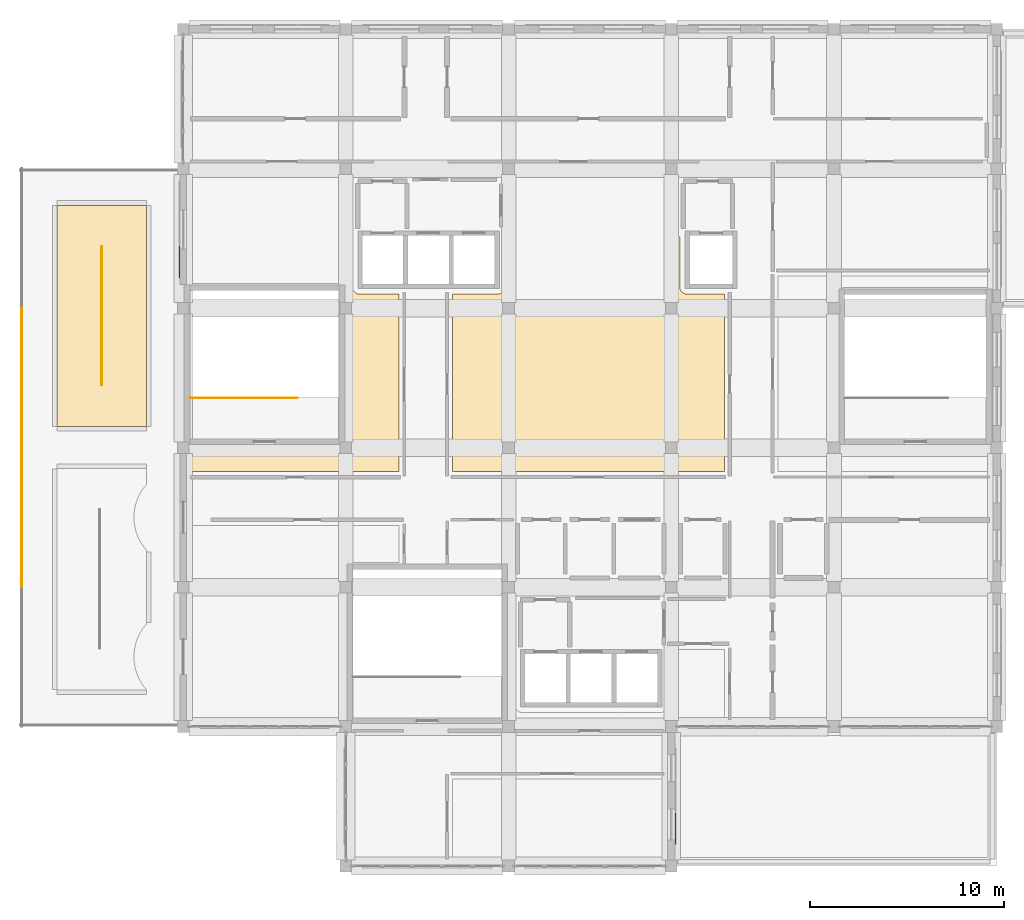
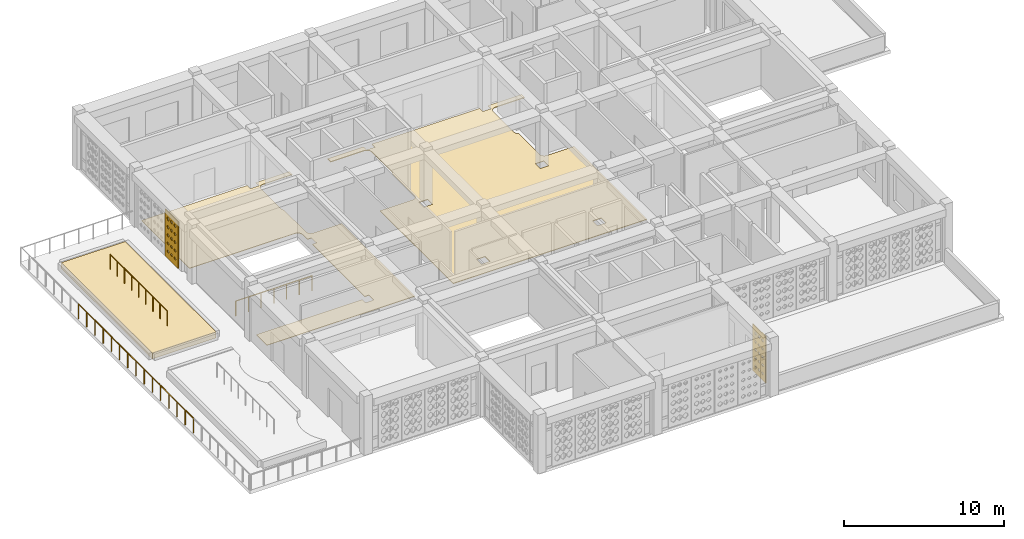
# One storey, part 20 of 28: 5 coverings, 4 railings.
"""IFC4 building model written with IfcOpenShell, lengths in metres."""

import ifcopenshell
import ifcopenshell.guid

model = None  # the IFC model being written
_history = None  # IfcOwnerHistory: only IFC2X3 demands one
_inside = {}  # id of a spatial element -> (the spatial element, [elements in it])
_under = {}  # id of a project, library or spatial element -> (it, [spatial elements below it])
_declared = {}  # id of a project -> (the project, [libraries it declares])
_typed = {}  # id of a type object -> (the type object, [elements of that type])
_made_of = {}  # id of a material, layer set ... -> (it, [elements and type objects made of it])


def new_model(schema):
    """Start an empty IFC model of exactly this schema.

    Asked for "IFC4X3", IfcOpenShell would pick the latest addendum, in which some entities
    have other attributes; the version numbers below select the first issue.
    IFC2X3 requires an IfcOwnerHistory on every rooted entity: one is made here for all.
    """
    global model, _history
    if schema == "IFC4X3":
        model = ifcopenshell.file(schema_version=(4, 3, 0, 0))
    else:
        model = ifcopenshell.file(schema=schema)
    _inside.clear()
    _under.clear()
    _declared.clear()
    _typed.clear()
    _made_of.clear()
    _history = None
    if model.schema == "IFC2X3":
        org = make("IfcOrganization", Name="unknown")
        user = make(
            "IfcPersonAndOrganization",
            ThePerson=make("IfcPerson", FamilyName="unknown"),
            TheOrganization=org,
        )
        app = make(
            "IfcApplication",
            ApplicationDeveloper=org,
            Version="unknown",
            ApplicationFullName="unknown",
            ApplicationIdentifier="unknown",
        )
        _history = make(
            "IfcOwnerHistory",
            OwningUser=user,
            OwningApplication=app,
            ChangeAction="ADDED",
            CreationDate=0,
        )
    return model


def make(cls, **values):
    """One entity of the class cls with the attributes given. An attribute that is None is left unset."""
    return model.create_entity(
        cls, **{name: value for name, value in values.items() if value is not None}
    )


def rooted(cls, **values):
    """An entity with a GlobalId (a new one), such as an element, a storey or a relation."""
    return make(cls, GlobalId=ifcopenshell.guid.new(), OwnerHistory=_history, **values)


def si_unit(unit_type, name, prefix=None):
    """IfcSIUnit, for example si_unit("LENGTHUNIT", "METRE", prefix="MILLI")."""
    return make("IfcSIUnit", UnitType=unit_type, Prefix=prefix, Name=name)


def derived_unit(unit_type, elements):
    """IfcDerivedUnit: a product of units, each with its exponent."""
    return make(
        "IfcDerivedUnit",
        Elements=[
            make("IfcDerivedUnitElement", Unit=unit, Exponent=power)
            for unit, power in elements
        ],
        UnitType=unit_type,
    )


def assignment(units):
    """IfcUnitAssignment: the units of a project."""
    return None if units is None else make("IfcUnitAssignment", Units=units)


def point(xyz):
    """IfcCartesianPoint."""
    return None if xyz is None else make("IfcCartesianPoint", Coordinates=xyz)


def direction(xyz):
    """IfcDirection."""
    return None if xyz is None else make("IfcDirection", DirectionRatios=xyz)


def frame(location, z_axis=None, x_axis=None):
    """IfcAxis2Placement3D, a coordinate frame: its origin and axes. An axis left out is left unset."""
    return make(
        "IfcAxis2Placement3D",
        Location=point(location),
        Axis=direction(z_axis),
        RefDirection=direction(x_axis),
    )


def frame_2d(location, x_axis=None):
    """IfcAxis2Placement2D, a coordinate frame in the plane: its origin and x axis."""
    return make(
        "IfcAxis2Placement2D", Location=point(location), RefDirection=direction(x_axis)
    )


def origin():
    """The frame at (0, 0, 0) with its axes left unset."""
    return frame((0.0, 0.0, 0.0))


def origin_2d():
    """The frame at (0, 0) in the plane with its x axis left unset."""
    return frame_2d((0.0, 0.0))


def place(relative_to, where):
    """IfcLocalPlacement: puts the frame where relative to a parent placement (None: the world)."""
    return make(
        "IfcLocalPlacement", PlacementRelTo=relative_to, RelativePlacement=where
    )


def context(
    kind, dimensions, precision=None, world=None, true_north=None, identifier=None
):
    """IfcGeometricRepresentationContext, for example the 3D "Model" context."""
    return make(
        "IfcGeometricRepresentationContext",
        ContextIdentifier=identifier,
        ContextType=kind,
        CoordinateSpaceDimension=dimensions,
        Precision=precision,
        WorldCoordinateSystem=world,
        TrueNorth=true_north,
    )


def subcontext(parent, identifier, kind, view, scale=None):
    """IfcGeometricRepresentationSubContext, for example "Body" below "Model"."""
    return make(
        "IfcGeometricRepresentationSubContext",
        ContextIdentifier=identifier,
        ContextType=kind,
        ParentContext=parent,
        TargetScale=scale,
        TargetView=view,
    )


def project(units=None, contexts=None):
    """IfcProject with its units and contexts."""
    return rooted(
        "IfcProject",
        Name="project",
        RepresentationContexts=contexts,
        UnitsInContext=assignment(units),
    )


def spatial(cls, under=None, at=None, **own):
    """A site, building, storey or space (cls), placed at a placement, below another one or the project."""
    s = rooted(cls, ObjectPlacement=at, **own)
    if under is not None:
        _under.setdefault(under.id(), (under, []))[1].append(s)
    return s


def polyline(points):
    """IfcPolyline through the points."""
    return make("IfcPolyline", Points=[point(p) for p in points])


def profile(cls, at=None, kind="AREA", **sizes):
    """A parametric profile (cls). Its sizes go by their IFC names, for example OverallWidth=200.0."""
    return make(cls, ProfileType=kind, Position=at, **sizes)


def circle(**sizes):
    """IfcCircleProfileDef."""
    return profile("IfcCircleProfileDef", **sizes)


def outline(outer, holes=None, kind="AREA"):
    """IfcArbitraryClosedProfileDef: a profile drawn as a closed curve; with holes, ...WithVoids."""
    if holes is None:
        return make("IfcArbitraryClosedProfileDef", ProfileType=kind, OuterCurve=outer)
    return make(
        "IfcArbitraryProfileDefWithVoids",
        ProfileType=kind,
        OuterCurve=outer,
        InnerCurves=holes,
    )


def extrude(swept, where, along, depth):
    """IfcExtrudedAreaSolid: the profile swept, set in the frame where, extruded along a direction by depth."""
    return make(
        "IfcExtrudedAreaSolid",
        SweptArea=swept,
        Position=where,
        ExtrudedDirection=direction(along),
        Depth=depth,
    )


def shape(context_of_items, identifier, shape_type, items):
    """IfcShapeRepresentation: the items that make up one representation, for example the "Body"."""
    return make(
        "IfcShapeRepresentation",
        ContextOfItems=context_of_items,
        RepresentationIdentifier=identifier,
        RepresentationType=shape_type,
        Items=items,
    )


def material(Name=None, Category=None):
    """IfcMaterial."""
    return make("IfcMaterial", Name=Name, Category=Category)


def layer(
    of_material, thickness, ventilated=None, Name=None, Category=None, Priority=None
):
    """IfcMaterialLayer: one layer of a wall or slab, of a material (None: an air gap)."""
    return make(
        "IfcMaterialLayer",
        Material=of_material,
        LayerThickness=thickness,
        IsVentilated=ventilated,
        Name=Name,
        Category=Category,
        Priority=Priority,
    )


def layer_set(layers, Name=None):
    """IfcMaterialLayerSet."""
    return make("IfcMaterialLayerSet", MaterialLayers=layers, LayerSetName=Name)


def made_of(thing, what):
    """Note that an element or type object is made of a material, layer set ...; save() writes the relation."""
    if what is not None:
        _made_of.setdefault(what.id(), (what, []))[1].append(thing)
    return thing


def type_object(cls, material=None, **own):
    """A type object (cls), such as IfcWallType, which elements share."""
    return made_of(rooted(cls, **own), material)


def element(
    cls,
    number,
    at=None,
    inside=None,
    cuts=None,
    type_object=None,
    material=None,
    context=None,
    identifier="Body",
    shape_type=None,
    held_by="IfcProductDefinitionShape",
    body=None,
    shapes=None,
    **own,
):
    """One element of the class cls, such as IfcWall. Its Tag is "e" and its number.

    at: its placement. inside: the storey or other place that contains it. cuts: it is an
    opening in that element (IfcRelVoidsElement). A single representation is given by context,
    identifier, shape_type and body (its items); several are given by shapes. held_by: the class
    of the entity that holds the representations. save() writes the other relations.
    """
    e = rooted(cls, Tag="e%d" % number, ObjectPlacement=at, **own)
    if body is not None:
        shapes = [shape(context, identifier, shape_type, body)]
    if shapes is not None:
        e.Representation = make(held_by, Representations=shapes)
    if inside is not None:
        _inside.setdefault(inside.id(), (inside, []))[1].append(e)
    if cuts is not None:
        rooted(
            "IfcRelVoidsElement", RelatingBuildingElement=cuts, RelatedOpeningElement=e
        )
    if type_object is not None:
        _typed.setdefault(type_object.id(), (type_object, []))[1].append(e)
    return made_of(e, material)


def aggregate(whole, parts):
    """IfcRelAggregates: a whole, such as a stair, and the parts it consists of."""
    return rooted("IfcRelAggregates", RelatingObject=whole, RelatedObjects=parts)


def save(model, path):
    """Write the relations noted so far, then the file.

    IfcRelAggregates (storeys below a building ...), IfcRelContainedInSpatialStructure (elements
    in a storey), IfcRelDefinesByType, IfcRelAssociatesMaterial and IfcRelDeclares: one each for
    every whole, place, type object, material and project.
    """
    for whole, parts in _under.values():
        aggregate(whole, parts)
    for where, things in _inside.values():
        rooted(
            "IfcRelContainedInSpatialStructure",
            RelatedElements=things,
            RelatingStructure=where,
        )
    for kind, things in _typed.values():
        rooted("IfcRelDefinesByType", RelatedObjects=things, RelatingType=kind)
    for what, things in _made_of.values():
        rooted("IfcRelAssociatesMaterial", RelatedObjects=things, RelatingMaterial=what)
    for by, libraries in _declared.values():
        rooted("IfcRelDeclares", RelatingContext=by, RelatedDefinitions=libraries)
    model.write(path)


model = new_model("IFC4")

# Units and contexts
model_context = context("Model", 3, precision=1e-05, world=origin(), true_north=direction((0.0, 1.0)))
body_context = subcontext(model_context, "Body", "Model", "MODEL_VIEW")
ifc_project = project(units=[si_unit("LENGTHUNIT", "METRE"), si_unit("AREAUNIT", "SQUARE_METRE"), si_unit("VOLUMEUNIT", "CUBIC_METRE"), si_unit("PLANEANGLEUNIT", "RADIAN"), si_unit("MASSUNIT", "GRAM", prefix="KILO"), derived_unit("THERMALTRANSMITTANCEUNIT", [(si_unit("POWERUNIT", "WATT"), 1), (si_unit("LENGTHUNIT", "METRE"), -2), (si_unit("THERMODYNAMICTEMPERATUREUNIT", "KELVIN"), -1)])], contexts=[model_context])

# Site, building, storey
site_placement = place(None, origin())
site = spatial("IfcSite", under=ifc_project, at=site_placement, CompositionType="ELEMENT")
building_placement = place(site_placement, origin())
building = spatial("IfcBuilding", under=site, at=building_placement, Name="Veybourne Emporium", CompositionType="ELEMENT")
storey_placement = place(building_placement, frame((0.0, 0.0, 32.10009765625)))
storey = spatial("IfcBuildingStorey", under=building, at=storey_placement, Name="L07", CompositionType="ELEMENT", Elevation=32.10009765625)

# Coverings
ifc_material_1 = material(Name="Venetian Terrazzo Flooring", Category="masonry")
ifc_layer_1 = layer(ifc_material_1, 0.044921875)
ifc_layer_set_1 = layer_set([ifc_layer_1], Name="Venetian Terrazzo Flooring")
covering_type_1 = type_object("IfcCoveringType", Name="Flooring_FLR-01", PredefinedType="FLOORING", material=ifc_layer_set_1)
covering_1_placement = place(storey_placement, origin())
element("IfcCovering", 1, at=covering_1_placement, inside=storey, type_object=covering_type_1, Name="L07 floor finish 05", PredefinedType="FLOORING", context=body_context, shape_type="SweptSolid", body=[
    extrude(outline(polyline([(22.360107421875, 36.739013671875), (22.37939453125, 36.7353515625), (22.39501953125, 36.73291015625), (22.41455078125, 36.73095703125), (22.43017578125, 36.730224609375), (22.43994140625, 36.72998046875), (24.639892578125, 36.72998046875), (24.64990234375, 36.730224609375), (24.66552734375, 36.73095703125), (24.68505859375, 36.73291015625), (24.700439453125, 36.7353515625), (24.7197265625, 36.739013671875), (24.735107421875, 36.742919921875), (24.75390625, 36.74853515625), (24.7685546875, 36.75390625), (24.78662109375, 36.761474609375), (24.801025390625, 36.76806640625), (24.818115234375, 36.77734375), (24.831787109375, 36.785400390625), (24.84814453125, 36.79638671875), (24.860595703125, 36.8056640625), (24.875732421875, 36.818115234375), (24.887451171875, 36.82861328125), (24.9013671875, 36.842529296875), (24.911865234375, 36.854248046875), (24.92431640625, 36.869384765625), (24.93359375, 36.8818359375), (24.944580078125, 36.8984375), (24.95263671875, 36.911865234375), (24.9619140625, 36.92919921875), (24.968505859375, 36.943359375), (24.97607421875, 36.96142578125), (24.9814453125, 36.97607421875), (24.987060546875, 36.994873046875), (24.990966796875, 37.01025390625), (24.994873046875, 37.029541015625), (24.9970703125, 37.044921875), (24.9990234375, 37.064453125), (24.999755859375, 37.080078125), (25.0, 37.090087890625), (25.0, 39.822509765625), (25.007568359375, 39.83203125), (25.0166015625, 39.844482421875), (25.027099609375, 39.860595703125), (25.03466796875, 39.873779296875), (25.043701171875, 39.890869140625), (25.050048828125, 39.90478515625), (25.05712890625, 39.92236328125), (25.062255859375, 39.93701171875), (25.067626953125, 39.95556640625), (25.0712890625, 39.970458984375), (25.074951171875, 39.9892578125), (25.0771484375, 40.00439453125), (25.0791015625, 40.0234375), (25.079833984375, 40.038818359375), (25.080078125, 40.04833984375), (25.080078125, 42.550048828125), (25.079833984375, 42.559814453125), (25.0791015625, 42.575439453125), (25.0771484375, 42.594970703125), (25.07470703125, 42.610595703125), (25.071044921875, 42.6298828125), (25.067138671875, 42.64501953125), (25.0615234375, 42.663818359375), (25.05615234375, 42.6787109375), (25.048583984375, 42.69677734375), (25.0419921875, 42.7109375), (25.03271484375, 42.728271484375), (25.024658203125, 42.74169921875), (25.013671875, 42.758056640625), (25.004150390625, 42.770751953125), (24.991943359375, 42.78564453125), (24.9814453125, 42.79736328125), (24.96728515625, 42.811279296875), (24.955810546875, 42.822021484375), (24.940673828125, 42.834228515625), (24.927978515625, 42.84375), (24.91162109375, 42.8544921875), (24.898193359375, 42.86279296875), (24.880859375, 42.871826171875), (24.86669921875, 42.878662109375), (24.8486328125, 42.88623046875), (24.833740234375, 42.891357421875), (24.815185546875, 42.897216796875), (24.7998046875, 42.90087890625), (24.780517578125, 42.90478515625), (24.764892578125, 42.906982421875), (24.74560546875, 42.908935546875), (24.729736328125, 42.90966796875), (24.719970703125, 42.909912109375), (22.31005859375, 42.909912109375), (22.31005859375, 43.2900390625), (24.89501953125, 43.2900390625), (24.89501953125, 42.89501953125), (25.5048828125, 42.89501953125), (25.5048828125, 43.2900390625), (33.294921875, 43.2900390625), (33.294921875, 42.89501953125), (33.905029296875, 42.89501953125), (33.905029296875, 43.2900390625), (36.340087890625, 43.2900390625), (36.340087890625, 42.909912109375), (34.219970703125, 42.909912109375), (34.210205078125, 42.90966796875), (34.194580078125, 42.908935546875), (34.175048828125, 42.906982421875), (34.159423828125, 42.90478515625), (34.14013671875, 42.90087890625), (34.125, 42.897216796875), (34.106201171875, 42.891357421875), (34.09130859375, 42.88623046875), (34.0732421875, 42.878662109375), (34.05908203125, 42.871826171875), (34.041748046875, 42.86279296875), (34.0283203125, 42.8544921875), (34.011962890625, 42.84375), (33.999267578125, 42.834228515625), (33.984375, 42.822021484375), (33.97265625, 42.811279296875), (33.95849609375, 42.79736328125), (33.947998046875, 42.78564453125), (33.935791015625, 42.770751953125), (33.92626953125, 42.758056640625), (33.915283203125, 42.74169921875), (33.9072265625, 42.728271484375), (33.898193359375, 42.7109375), (33.891357421875, 42.69677734375), (33.8837890625, 42.6787109375), (33.878662109375, 42.663818359375), (33.872802734375, 42.64501953125), (33.869140625, 42.6298828125), (33.865234375, 42.610595703125), (33.863037109375, 42.594970703125), (33.861083984375, 42.575439453125), (33.8603515625, 42.559814453125), (33.860107421875, 42.550048828125), (33.860107421875, 39.989990234375), (33.8603515625, 39.980224609375), (33.861083984375, 39.964599609375), (33.863037109375, 39.945068359375), (33.865234375, 39.929443359375), (33.869140625, 39.91015625), (33.872802734375, 39.89501953125), (33.878662109375, 39.876220703125), (33.8837890625, 39.861328125), (33.891357421875, 39.84326171875), (33.898193359375, 39.8291015625), (33.9072265625, 39.811767578125), (33.915283203125, 39.79833984375), (33.92626953125, 39.781982421875), (33.935791015625, 39.769287109375), (33.947998046875, 39.754150390625), (33.95849609375, 39.74267578125), (33.97265625, 39.728515625), (33.984375, 39.718017578125), (33.999267578125, 39.705810546875), (34.011962890625, 39.6962890625), (34.0283203125, 39.685302734375), (34.0400390625, 39.678466796875), (34.0400390625, 37.090087890625), (34.040283203125, 37.080078125), (34.041015625, 37.064453125), (34.04296875, 37.044921875), (34.045166015625, 37.029541015625), (34.049072265625, 37.01025390625), (34.052978515625, 36.994873046875), (34.05859375, 36.97607421875), (34.06396484375, 36.96142578125), (34.0712890625, 36.943359375), (34.078125, 36.92919921875), (34.08740234375, 36.911865234375), (34.095458984375, 36.8984375), (34.1064453125, 36.8818359375), (34.11572265625, 36.869384765625), (34.128173828125, 36.854248046875), (34.138671875, 36.842529296875), (34.152587890625, 36.82861328125), (34.164306640625, 36.818115234375), (34.17919921875, 36.8056640625), (34.19189453125, 36.79638671875), (34.208251953125, 36.785400390625), (34.2216796875, 36.77734375), (34.239013671875, 36.76806640625), (34.253173828125, 36.761474609375), (34.271484375, 36.75390625), (34.2861328125, 36.74853515625), (34.304931640625, 36.742919921875), (34.320068359375, 36.739013671875), (34.339599609375, 36.7353515625), (34.35498046875, 36.73291015625), (34.37451171875, 36.73095703125), (34.39013671875, 36.730224609375), (34.39990234375, 36.72998046875), (36.340087890625, 36.72998046875), (36.340087890625, 27.56005859375), (22.31005859375, 27.56005859375), (22.31005859375, 36.7314453125), (22.324951171875, 36.73291015625), (22.340576171875, 36.7353515625), (22.35986328125, 36.739013671875), (22.360107421875, 36.739013671875), (22.360107421875, 36.739013671875)]), holes=[polyline([(25.5048828125, 28.4951171875), (25.5048828125, 29.10498046875), (24.89501953125, 29.10498046875), (24.89501953125, 28.4951171875), (25.5048828125, 28.4951171875)]), polyline([(24.89501953125, 35.695068359375), (25.5048828125, 35.695068359375), (25.5048828125, 36.304931640625), (24.89501953125, 36.304931640625), (24.89501953125, 35.695068359375)]), polyline([(33.294921875, 28.4951171875), (33.905029296875, 28.4951171875), (33.905029296875, 29.10498046875), (33.294921875, 29.10498046875), (33.294921875, 28.4951171875)]), polyline([(33.905029296875, 35.695068359375), (33.905029296875, 36.304931640625), (33.294921875, 36.304931640625), (33.294921875, 35.695068359375), (33.905029296875, 35.695068359375)])]), origin(), (0.0, 0.0, 1.0), 0.044921875),
])
ifc_material_2 = material(Name="European Oak Parquet", Category="wood")
ifc_layer_2 = layer(ifc_material_2, 0.034912109375)
ifc_layer_set_2 = layer_set([ifc_layer_2], Name="European Oak Parquet")
covering_type_2 = type_object("IfcCoveringType", Name="Flooring_FLR-02", PredefinedType="FLOORING", material=ifc_layer_set_2)
covering_2_placement = place(storey_placement, origin())
element("IfcCovering", 2, at=covering_2_placement, inside=storey, type_object=covering_type_2, Name="L07 floor finish 04", PredefinedType="FLOORING", context=body_context, shape_type="SweptSolid", body=[
    extrude(outline(polyline([(16.449951171875, 28.889892578125), (16.459716796875, 28.89013671875), (16.4755859375, 28.89111328125), (16.494873046875, 28.892822265625), (16.4951171875, 28.892822265625), (16.4951171875, 28.4951171875), (17.10498046875, 28.4951171875), (17.10498046875, 29.10498046875), (16.779296875, 29.10498046875), (16.7861328125, 29.121337890625), (16.79150390625, 29.13623046875), (16.797119140625, 29.155029296875), (16.801025390625, 29.170166015625), (16.8046875, 29.189453125), (16.80712890625, 29.205078125), (16.80908203125, 29.224609375), (16.809814453125, 29.240234375), (16.81005859375, 29.25), (16.81005859375, 35.695068359375), (17.10498046875, 35.695068359375), (17.10498046875, 36.304931640625), (16.81005859375, 36.304931640625), (16.81005859375, 36.89990234375), (16.809814453125, 36.909912109375), (16.80908203125, 36.925537109375), (16.80712890625, 36.945068359375), (16.8046875, 36.96044921875), (16.801025390625, 36.979736328125), (16.797119140625, 36.9951171875), (16.79150390625, 37.013916015625), (16.7861328125, 37.028564453125), (16.778564453125, 37.046630859375), (16.77197265625, 37.06103515625), (16.7626953125, 37.078125), (16.754638671875, 37.091796875), (16.74365234375, 37.108154296875), (16.734375, 37.12060546875), (16.721923828125, 37.1357421875), (16.71142578125, 37.1474609375), (16.697265625, 37.161376953125), (16.685791015625, 37.171875), (16.670654296875, 37.184326171875), (16.658203125, 37.193603515625), (16.6416015625, 37.20458984375), (16.628173828125, 37.212646484375), (16.61083984375, 37.221923828125), (16.5966796875, 37.228515625), (16.57861328125, 37.236083984375), (16.56396484375, 37.241455078125), (16.545166015625, 37.2470703125), (16.52978515625, 37.2509765625), (16.510498046875, 37.2548828125), (16.494873046875, 37.257080078125), (16.4755859375, 37.259033203125), (16.459716796875, 37.259765625), (16.449951171875, 37.260009765625), (8.840087890625, 37.260009765625), (8.840087890625, 43.2900390625), (16.4951171875, 43.2900390625), (16.4951171875, 42.89501953125), (17.10498046875, 42.89501953125), (17.10498046875, 43.2900390625), (19.5400390625, 43.2900390625), (19.5400390625, 42.909912109375), (17.419921875, 42.909912109375), (17.41015625, 42.90966796875), (17.39453125, 42.908935546875), (17.375, 42.906982421875), (17.359375, 42.90478515625), (17.340087890625, 42.90087890625), (17.324951171875, 42.897216796875), (17.30615234375, 42.891357421875), (17.291259765625, 42.88623046875), (17.273193359375, 42.878662109375), (17.259033203125, 42.871826171875), (17.24169921875, 42.86279296875), (17.228271484375, 42.8544921875), (17.2119140625, 42.84375), (17.19921875, 42.834228515625), (17.184326171875, 42.822021484375), (17.172607421875, 42.811279296875), (17.15869140625, 42.79736328125), (17.14794921875, 42.78564453125), (17.1357421875, 42.770751953125), (17.12646484375, 42.758056640625), (17.115478515625, 42.74169921875), (17.107421875, 42.728271484375), (17.09814453125, 42.7109375), (17.09130859375, 42.69677734375), (17.083984375, 42.6787109375), (17.07861328125, 42.663818359375), (17.072998046875, 42.64501953125), (17.069091796875, 42.6298828125), (17.065185546875, 42.610595703125), (17.06298828125, 42.594970703125), (17.06103515625, 42.575439453125), (17.060302734375, 42.559814453125), (17.06005859375, 42.550048828125), (17.06005859375, 40.04833984375), (17.060302734375, 40.038818359375), (17.06103515625, 40.0234375), (17.062744140625, 40.00439453125), (17.06494140625, 39.9892578125), (17.068603515625, 39.970458984375), (17.072265625, 39.95556640625), (17.077880859375, 39.93701171875), (17.082763671875, 39.92236328125), (17.090087890625, 39.90478515625), (17.096435546875, 39.890869140625), (17.105224609375, 39.873779296875), (17.113037109375, 39.860595703125), (17.12353515625, 39.844482421875), (17.13232421875, 39.83203125), (17.139892578125, 39.822509765625), (17.139892578125, 37.090087890625), (17.14013671875, 37.080078125), (17.14111328125, 37.064453125), (17.142822265625, 37.044921875), (17.145263671875, 37.029541015625), (17.149169921875, 37.01025390625), (17.15283203125, 36.994873046875), (17.15869140625, 36.97607421875), (17.163818359375, 36.96142578125), (17.17138671875, 36.943359375), (17.177978515625, 36.92919921875), (17.187255859375, 36.911865234375), (17.1953125, 36.8984375), (17.206298828125, 36.8818359375), (17.2158203125, 36.869384765625), (17.22802734375, 36.854248046875), (17.238525390625, 36.842529296875), (17.252685546875, 36.82861328125), (17.26416015625, 36.818115234375), (17.279296875, 36.8056640625), (17.2919921875, 36.79638671875), (17.308349609375, 36.785400390625), (17.32177734375, 36.77734375), (17.339111328125, 36.76806640625), (17.353271484375, 36.761474609375), (17.371337890625, 36.75390625), (17.38623046875, 36.74853515625), (17.405029296875, 36.742919921875), (17.420166015625, 36.739013671875), (17.439453125, 36.7353515625), (17.455078125, 36.73291015625), (17.474609375, 36.73095703125), (17.490234375, 36.730224609375), (17.5, 36.72998046875), (19.5400390625, 36.72998046875), (19.5400390625, 27.56005859375), (8.840087890625, 27.56005859375), (8.840087890625, 28.889892578125), (16.449951171875, 28.889892578125)])), origin(), (0.0, 0.0, 1.0), 0.034912109375),
])

# Railings
ifc_material_3 = material(Name="Brushed Stainless Steel", Category="steel")
railing_type_1 = type_object("IfcRailingType", Name="Guard_GR-01", PredefinedType="GUARDRAIL", material=ifc_material_3)
railing_1_placement = place(storey_placement, frame((8.77001953125, 31.360107421875, 0.0)))
element("IfcRailing", 3, at=railing_1_placement, inside=storey, type_object=railing_type_1, Name="L07 ST-02 top well guardrail", PredefinedType="GUARDRAIL", context=body_context, shape_type="SweptSolid", body=[
    extrude(circle(Radius=0.02392578125, at=origin_2d()), frame((0.0, 0.0, 1.1259765625), z_axis=(1.0, 0.0, 0.0), x_axis=(0.0, 1.0, 0.0)), (0.0, 0.0, 1.0), 5.52001953125),
    extrude(circle(Radius=0.02099609375, at=origin_2d()), origin(), (0.0, 0.0, 1.0), 1.101806640625),
    extrude(circle(Radius=0.02099609375, at=origin_2d()), frame((0.919921875, 0.0, 0.0)), (0.0, 0.0, 1.0), 1.101806640625),
    extrude(circle(Radius=0.02099609375, at=origin_2d()), frame((1.840087890625, 0.0, 0.0)), (0.0, 0.0, 1.0), 1.101806640625),
    extrude(circle(Radius=0.02099609375, at=origin_2d()), frame((2.760009765625, 0.0, 0.0)), (0.0, 0.0, 1.0), 1.101806640625),
    extrude(circle(Radius=0.02099609375, at=origin_2d()), frame((3.679931640625, 0.0, 0.0)), (0.0, 0.0, 1.0), 1.101806640625),
    extrude(circle(Radius=0.02099609375, at=origin_2d()), frame((4.60009765625, 0.0, 0.0)), (0.0, 0.0, 1.0), 1.101806640625),
    extrude(circle(Radius=0.02099609375, at=origin_2d()), frame((5.52001953125, 0.0, 0.0)), (0.0, 0.0, 1.0), 1.101806640625),
])
ifc_material_4 = material(Name="Patinated Architectural Bronze", Category="bronze")
railing_type_2 = type_object("IfcRailingType", Name="Guard_GR-02", PredefinedType="GUARDRAIL", material=ifc_material_4)
for number, where, name in (
    (4, (0.080078125, 21.60009765625, 0.0), "L07 terrace perimeter guardrail 003"),
    (5, (0.080078125, 28.800048828125, 0.0), "L07 terrace perimeter guardrail 004"),
):
    element("IfcRailing", number, at=place(storey_placement, frame(where)), inside=storey, type_object=railing_type_2, Name=name, PredefinedType="GUARDRAIL", context=body_context, shape_type="SweptSolid", body=[
        extrude(circle(Radius=0.02392578125, at=origin_2d()), frame((0.0, 0.0, 1.1259765625), z_axis=(0.0, 1.0, 0.0), x_axis=(-1.0, 0.0, 0.0)), (0.0, 0.0, 1.0), 7.199951171875),
        extrude(circle(Radius=0.02099609375, at=origin_2d()), origin(), (0.0, 0.0, 1.0), 1.101806640625),
        extrude(circle(Radius=0.02099609375, at=origin_2d()), frame((0.0, 1.028564453125, 0.0)), (0.0, 0.0, 1.0), 1.101806640625),
        extrude(circle(Radius=0.02099609375, at=origin_2d()), frame((0.0, 2.05712890625, 0.0)), (0.0, 0.0, 1.0), 1.101806640625),
        extrude(circle(Radius=0.02099609375, at=origin_2d()), frame((0.0, 3.085693359375, 0.0)), (0.0, 0.0, 1.0), 1.101806640625),
        extrude(circle(Radius=0.02099609375, at=origin_2d()), frame((0.0, 4.1142578125, 0.0)), (0.0, 0.0, 1.0), 1.101806640625),
        extrude(circle(Radius=0.02099609375, at=origin_2d()), frame((0.0, 5.142822265625, 0.0)), (0.0, 0.0, 1.0), 1.101806640625),
        extrude(circle(Radius=0.02099609375, at=origin_2d()), frame((0.0, 6.17138671875, 0.0)), (0.0, 0.0, 1.0), 1.101806640625),
        extrude(circle(Radius=0.02099609375, at=origin_2d()), frame((0.0, 7.199951171875, 0.0)), (0.0, 0.0, 1.0), 1.101806640625),
    ])
railing_2_placement = place(storey_placement, frame((4.199951171875, 32.030029296875, 0.43994140625)))
element("IfcRailing", 6, at=railing_2_placement, inside=storey, type_object=railing_type_2, Name="L07 bronze roof-garden trellis balustrade 1.1", PredefinedType="GUARDRAIL", context=body_context, shape_type="SweptSolid", body=[
    extrude(circle(Radius=0.02392578125, at=origin_2d()), frame((0.0, 0.0, 1.1259765625), z_axis=(0.0, 1.0, 0.0), x_axis=(-1.0, 0.0, 0.0)), (0.0, 0.0, 1.0), 7.139892578125),
    extrude(circle(Radius=0.02099609375, at=origin_2d()), origin(), (0.0, 0.0, 1.0), 1.101806640625),
    extrude(circle(Radius=0.02099609375, at=origin_2d()), frame((0.0, 0.892578125, 0.0)), (0.0, 0.0, 1.0), 1.101806640625),
    extrude(circle(Radius=0.02099609375, at=origin_2d()), frame((0.0, 1.784912109375, 0.0)), (0.0, 0.0, 1.0), 1.101806640625),
    extrude(circle(Radius=0.02099609375, at=origin_2d()), frame((0.0, 2.677490234375, 0.0)), (0.0, 0.0, 1.0), 1.101806640625),
    extrude(circle(Radius=0.02099609375, at=origin_2d()), frame((0.0, 3.56982421875, 0.0)), (0.0, 0.0, 1.0), 1.101806640625),
    extrude(circle(Radius=0.02099609375, at=origin_2d()), frame((0.0, 4.46240234375, 0.0)), (0.0, 0.0, 1.0), 1.101806640625),
    extrude(circle(Radius=0.02099609375, at=origin_2d()), frame((0.0, 5.35498046875, 0.0)), (0.0, 0.0, 1.0), 1.101806640625),
    extrude(circle(Radius=0.02099609375, at=origin_2d()), frame((0.0, 6.247314453125, 0.0)), (0.0, 0.0, 1.0), 1.101806640625),
    extrude(circle(Radius=0.02099609375, at=origin_2d()), frame((0.0, 7.139892578125, 0.0)), (0.0, 0.0, 1.0), 1.101806640625),
])

# Coverings
ifc_material_5 = material(Name="Intensive Green Roof Build-up", Category="membrane")
ifc_layer_3 = layer(ifc_material_5, 0.43994140625)
ifc_layer_set_3 = layer_set([ifc_layer_3], Name="Intensive Green Roof Build-up")
covering_type_3 = type_object("IfcCoveringType", Name="Roofing_RFG-02", PredefinedType="ROOFING", material=ifc_layer_set_3)
covering_3_placement = place(storey_placement, origin())
element("IfcCovering", 7, at=covering_3_placement, inside=storey, type_object=covering_type_3, Name="L07 intensive planted garden bed 1.1", PredefinedType="ROOFING", context=body_context, shape_type="SweptSolid", body=[
    extrude(outline(polyline([(6.510009765625, 41.31005859375), (6.510009765625, 29.889892578125), (1.889892578125, 29.889892578125), (1.889892578125, 41.31005859375), (6.510009765625, 41.31005859375)])), origin(), (0.0, 0.0, 1.0), 0.43994140625),
])
ifc_material_6 = material(Name="Warm-White Perforated Aluminium Screen Alloy", Category="aluminium")
ifc_layer_4 = layer(ifc_material_6, 0.06005859375)
ifc_layer_set_4 = layer_set([ifc_layer_4], Name="Warm-White Perforated Aluminium Screen Alloy")
covering_type_4 = type_object("IfcCoveringType", Name="WaveScreen_SCR-02", PredefinedType="CLADDING", material=ifc_layer_set_4)
covering_4_placement = place(storey_placement, frame((8.177001953125, 38.3798828125, 1.844970703125), z_axis=(1.0, 0.0, 0.0), x_axis=(0.0, 1.0, 0.0)))
element("IfcCovering", 8, at=covering_4_placement, inside=storey, type_object=covering_type_4, Name="L07 wave-perforated aluminium screen SCR-02 (5T.1)", PredefinedType="CLADDING", context=body_context, shape_type="SweptSolid", body=[
    extrude(outline(polyline([(-0.81982421875, -1.78515625), (0.81982421875, -1.78515625), (0.81982421875, 1.78515625), (-0.81982421875, 1.78515625), (-0.81982421875, -1.78515625)]), holes=[polyline([(-0.433349609375, -1.140625), (-0.332275390625, -1.2119140625), (-0.332275390625, -1.2919921875), (-0.433349609375, -1.36328125), (-0.534423828125, -1.2919921875), (-0.534423828125, -1.2119140625), (-0.433349609375, -1.140625)]), polyline([(-0.433349609375, -0.5107421875), (-0.3291015625, -0.58447265625), (-0.3291015625, -0.66748046875), (-0.433349609375, -0.7412109375), (-0.53759765625, -0.66748046875), (-0.53759765625, -0.58447265625), (-0.433349609375, -0.5107421875)]), polyline([(-0.433349609375, 0.12158203125), (-0.323974609375, 0.043701171875), (-0.323974609375, -0.043701171875), (-0.433349609375, -0.12158203125), (-0.542724609375, -0.043701171875), (-0.542724609375, 0.043701171875), (-0.433349609375, 0.12158203125)]), polyline([(-0.433349609375, 0.755859375), (-0.317138671875, 0.6728515625), (-0.317138671875, 0.5791015625), (-0.433349609375, 0.49609375), (-0.549560546875, 0.5791015625), (-0.549560546875, 0.6728515625), (-0.433349609375, 0.755859375)]), polyline([(-0.433349609375, 1.39208984375), (-0.30859375, 1.302490234375), (-0.30859375, 1.201416015625), (-0.433349609375, 1.11181640625), (-0.55810546875, 1.201416015625), (-0.55810546875, 1.302490234375), (-0.433349609375, 1.39208984375)]), polyline([(0.0, -1.13916015625), (0.102294921875, -1.21142578125), (0.102294921875, -1.29248046875), (0.0, -1.36474609375), (-0.102294921875, -1.29248046875), (-0.102294921875, -1.21142578125), (0.0, -1.13916015625)]), polyline([(0.0, -0.50830078125), (0.106201171875, -0.58349609375), (0.106201171875, -0.66845703125), (0.0, -0.74365234375), (-0.106201171875, -0.66845703125), (-0.106201171875, -0.58349609375), (0.0, -0.50830078125)]), polyline([(0.0, 0.125), (0.1123046875, 0.044921875), (0.1123046875, -0.044921875), (0.0, -0.125), (-0.1123046875, -0.044921875), (-0.1123046875, 0.044921875), (0.0, 0.125)]), polyline([(0.0, 0.76025390625), (0.119873046875, 0.67431640625), (0.119873046875, 0.57763671875), (0.0, 0.49169921875), (-0.119873046875, 0.57763671875), (-0.119873046875, 0.67431640625), (0.0, 0.76025390625)]), polyline([(0.0, 1.397216796875), (0.12890625, 1.30419921875), (0.12890625, 1.19970703125), (0.0, 1.106689453125), (-0.12890625, 1.19970703125), (-0.12890625, 1.30419921875), (0.0, 1.397216796875)]), polyline([(0.433349609375, -1.13720703125), (0.537109375, -1.210693359375), (0.537109375, -1.293212890625), (0.433349609375, -1.36669921875), (0.32958984375, -1.293212890625), (0.32958984375, -1.210693359375), (0.433349609375, -1.13720703125)]), polyline([(0.433349609375, -0.50537109375), (0.5419921875, -0.58251953125), (0.5419921875, -0.66943359375), (0.433349609375, -0.74658203125), (0.32470703125, -0.66943359375), (0.32470703125, -0.58251953125), (0.433349609375, -0.50537109375)]), polyline([(0.433349609375, 0.12890625), (0.548828125, 0.04638671875), (0.548828125, -0.04638671875), (0.433349609375, -0.12890625), (0.31787109375, -0.04638671875), (0.31787109375, 0.04638671875), (0.433349609375, 0.12890625)]), polyline([(0.433349609375, 0.764892578125), (0.556884765625, 0.676025390625), (0.556884765625, 0.575927734375), (0.433349609375, 0.487060546875), (0.3095703125, 0.575927734375), (0.3095703125, 0.676025390625), (0.433349609375, 0.764892578125)]), polyline([(0.433349609375, 1.402587890625), (0.566650390625, 1.306396484375), (0.566650390625, 1.19775390625), (0.433349609375, 1.101318359375), (0.300048828125, 1.19775390625), (0.300048828125, 1.306396484375), (0.433349609375, 1.402587890625)])]), origin(), (0.0, 0.0, 1.0), 0.06005859375),
])
ifc_layer_5 = layer(ifc_material_6, 0.06005859375)
ifc_layer_set_5 = layer_set([ifc_layer_5], Name="Warm-White Perforated Aluminium Screen Alloy")
covering_type_5 = type_object("IfcCoveringType", Name="WaveScreen_SCR-03", PredefinedType="CLADDING", material=ifc_layer_set_5)
covering_5_placement = place(storey_placement, frame((33.84814453125, 9.1201171875, 1.844970703125), z_axis=(-1.0, 0.0, 0.0), x_axis=(0.0, -1.0, 0.0)))
element("IfcCovering", 9, at=covering_5_placement, inside=storey, type_object=covering_type_5, Name="L07 wave-perforated aluminium screen SCR-03 (12.3)", PredefinedType="CLADDING", context=body_context, shape_type="SweptSolid", body=[
    extrude(outline(polyline([(-0.81982421875, -1.78515625), (0.81982421875, -1.78515625), (0.81982421875, 1.78515625), (-0.81982421875, 1.78515625), (-0.81982421875, -1.78515625)]), holes=[polyline([(-0.433349609375, -1.137939453125), (-0.330078125, -1.2109375), (-0.330078125, -1.293212890625), (-0.433349609375, -1.3662109375), (-0.53662109375, -1.293212890625), (-0.53662109375, -1.2109375), (-0.433349609375, -1.137939453125)]), polyline([(-0.433349609375, -0.51513671875), (-0.33251953125, -0.586181640625), (-0.33251953125, -0.666015625), (-0.433349609375, -0.73681640625), (-0.533935546875, -0.666015625), (-0.533935546875, -0.586181640625), (-0.433349609375, -0.51513671875)]), polyline([(-0.433349609375, 0.110107421875), (-0.333251953125, 0.03955078125), (-0.333251953125, -0.03955078125), (-0.433349609375, -0.110107421875), (-0.533447265625, -0.03955078125), (-0.533447265625, 0.03955078125), (-0.433349609375, 0.110107421875)]), polyline([(-0.433349609375, 0.73779296875), (-0.331787109375, 0.666259765625), (-0.331787109375, 0.585693359375), (-0.433349609375, 0.51416015625), (-0.534912109375, 0.585693359375), (-0.534912109375, 0.666259765625), (-0.433349609375, 0.73779296875)]), polyline([(-0.433349609375, 1.367919921875), (-0.328369140625, 1.293701171875), (-0.328369140625, 1.210205078125), (-0.433349609375, 1.135986328125), (-0.5380859375, 1.210205078125), (-0.5380859375, 1.293701171875), (-0.433349609375, 1.367919921875)]), polyline([(0.0, -1.135498046875), (0.105224609375, -1.210205078125), (0.105224609375, -1.2939453125), (0.0, -1.368408203125), (-0.105224609375, -1.2939453125), (-0.105224609375, -1.210205078125), (0.0, -1.135498046875)]), polyline([(0.0, -0.513916015625), (0.1015625, -0.585693359375), (0.1015625, -0.666259765625), (0.0, -0.738037109375), (-0.1015625, -0.666259765625), (-0.1015625, -0.585693359375), (0.0, -0.513916015625)]), polyline([(0.0, 0.110107421875), (0.10009765625, 0.03955078125), (0.10009765625, -0.03955078125), (0.0, -0.110107421875), (-0.10009765625, -0.03955078125), (-0.10009765625, 0.03955078125), (0.0, 0.110107421875)]), polyline([(0.0, 0.73681640625), (0.1005859375, 0.666015625), (0.1005859375, 0.586181640625), (0.0, 0.515380859375), (-0.1005859375, 0.586181640625), (-0.1005859375, 0.666015625), (0.0, 0.73681640625)]), polyline([(0.0, 1.36572265625), (0.10302734375, 1.29296875), (0.10302734375, 1.2109375), (0.0, 1.13818359375), (-0.10302734375, 1.2109375), (-0.10302734375, 1.29296875), (0.0, 1.36572265625)]), polyline([(0.433349609375, -1.1328125), (0.540771484375, -1.208984375), (0.540771484375, -1.294921875), (0.433349609375, -1.37109375), (0.325927734375, -1.294921875), (0.325927734375, -1.208984375), (0.433349609375, -1.1328125)]), polyline([(0.433349609375, -0.51220703125), (0.536376953125, -0.585205078125), (0.536376953125, -0.6669921875), (0.433349609375, -0.73974609375), (0.330322265625, -0.6669921875), (0.330322265625, -0.585205078125), (0.433349609375, -0.51220703125)]), polyline([(0.433349609375, 0.110595703125), (0.53369140625, 0.039794921875), (0.53369140625, -0.039794921875), (0.433349609375, -0.110595703125), (0.332763671875, -0.039794921875), (0.332763671875, 0.039794921875), (0.433349609375, 0.110595703125)]), polyline([(0.433349609375, 0.736083984375), (0.533447265625, 0.66552734375), (0.533447265625, 0.58642578125), (0.433349609375, 0.515869140625), (0.333251953125, 0.58642578125), (0.333251953125, 0.66552734375), (0.433349609375, 0.736083984375)]), polyline([(0.433349609375, 1.364013671875), (0.53515625, 1.29248046875), (0.53515625, 1.211669921875), (0.433349609375, 1.139892578125), (0.33154296875, 1.211669921875), (0.33154296875, 1.29248046875), (0.433349609375, 1.364013671875)])]), origin(), (0.0, 0.0, 1.0), 0.06005859375),
])

save(model, "model.ifc")
